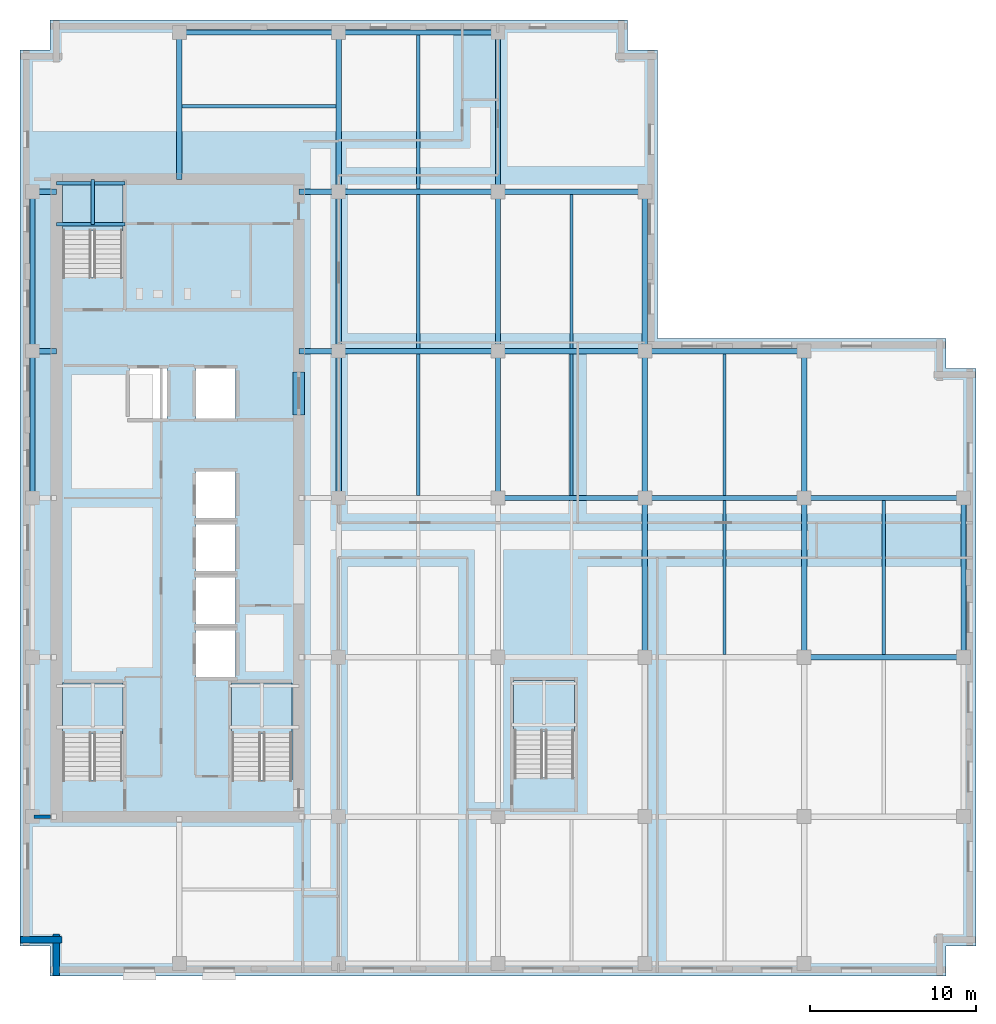
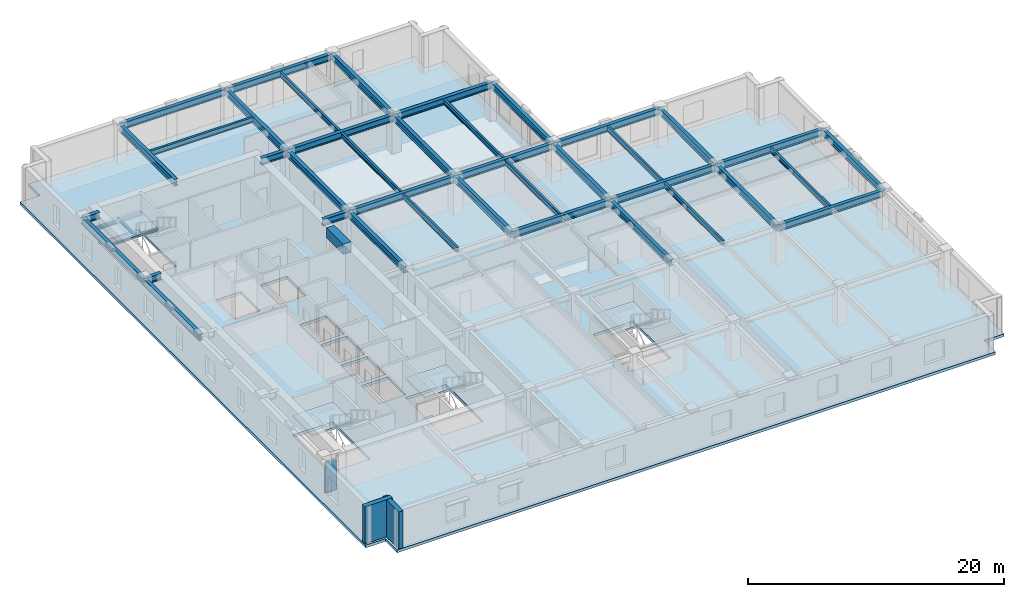
# One storey, part 2 of 14: 43 beams, 5 slabs, 3 walls, 4 elements without a shape of their own.
"""IFC4 building model written with IfcOpenShell, lengths in metres."""

from ifc_helpers import new_model, si_unit, direction, frame, frame_2d, origin, origin_2d, place, context, subcontext, project, spatial, polyline, rectangle, i_section, outline, extrude, material, layer, layer_set, material_profile, profile_set, type_object, element, aggregate, save


model = new_model("IFC4")

# Units and contexts
model_context = context("Model", 3, precision=1e-05, world=origin(), true_north=direction((0.0, 1.0)))
body_context = subcontext(model_context, "Body", "Model", "MODEL_VIEW")
ifc_project = project(units=[si_unit("LENGTHUNIT", "METRE"), si_unit("AREAUNIT", "SQUARE_METRE"), si_unit("VOLUMEUNIT", "CUBIC_METRE"), si_unit("PLANEANGLEUNIT", "RADIAN"), si_unit("MASSUNIT", "GRAM", prefix="KILO")], contexts=[model_context])

# Site, building, storey
site_placement = place(None, origin())
site = spatial("IfcSite", under=ifc_project, at=site_placement, CompositionType="ELEMENT")
building_placement = place(site_placement, origin())
building = spatial("IfcBuilding", under=site, at=building_placement, Name="Norrvale University Quadrangle", CompositionType="ELEMENT")
storey_placement = place(building_placement, frame((0.0, 0.0, 214.199951171875)))
storey = spatial("IfcBuildingStorey", under=building, at=storey_placement, Name="L54", CompositionType="ELEMENT", Elevation=214.199951171875)

# Beams
ifc_material_1 = material(Name="Steel 350W", Category="steel")
ifc_material_profile_1 = material_profile(ifc_material_1, i_section(OverallWidth=0.324951171875, OverallDepth=0.615966796875, WebThickness=0.013916015625, FlangeThickness=0.021484375, FilletRadius=0.01611328125, at=origin_2d()), Name="Steel 350W")
ifc_profile_set_1 = profile_set([ifc_material_profile_1], Name="Steel 350W")
beam_type_1 = type_object("IfcBeamType", Name="Beam Belt W610x174", PredefinedType="BEAM", material=ifc_profile_set_1)
beam_1_placement = place(storey_placement, frame((47.25, 19.199951171875, 3.23193359375), z_axis=(1.0, 0.0, 0.0), x_axis=(0.0, 1.0, 0.0)))
element("IfcBeam", 1, at=beam_1_placement, inside=storey, type_object=beam_type_1, Name="Beam Belt W610x174 BM-L54-GX012", PredefinedType="BEAM", context=body_context, shape_type="SweptSolid", body=[
    extrude(i_section(OverallWidth=0.324951171875, OverallDepth=0.615966796875, WebThickness=0.013916015625, FlangeThickness=0.021484375, FilletRadius=0.01611328125, at=origin_2d()), origin(), (0.0, 0.0, 1.0), 9.60009765625),
])
beam_2_placement = place(storey_placement, frame((28.800048828125, 28.800048828125, 3.23193359375), z_axis=(1.0, 0.0, 0.0), x_axis=(0.0, 1.0, 0.0)))
element("IfcBeam", 2, at=beam_2_placement, inside=storey, type_object=beam_type_1, Name="Beam Belt W610x174 BM-L54-GX014", PredefinedType="BEAM", context=body_context, shape_type="SweptSolid", body=[
    extrude(i_section(OverallWidth=0.324951171875, OverallDepth=0.615966796875, WebThickness=0.013916015625, FlangeThickness=0.021484375, FilletRadius=0.01611328125, at=origin_2d()), origin(), (0.0, 0.0, 1.0), 8.849853515625),
])
for number, where, z_axis, x_axis, name in (
    (3, (37.64990234375, 28.800048828125, 3.23193359375), (1.0, 0.0, 0.0), (0.0, 1.0, 0.0), "Beam Belt W610x174 BM-L54-GX015"),
    (4, (47.25, 28.800048828125, 3.23193359375), (1.0, 0.0, 0.0), (0.0, 1.0, 0.0), "Beam Belt W610x174 BM-L54-GX016"),
    (5, (19.199951171875, 37.64990234375, 3.23193359375), (1.0, 0.0, 0.0), (0.0, 1.0, 0.0), "Beam Belt W610x174 BM-L54-GX017"),
):
    element("IfcBeam", number, at=place(storey_placement, frame(where, z_axis=z_axis, x_axis=x_axis)), inside=storey, type_object=beam_type_1, Name=name, PredefinedType="BEAM", context=body_context, shape_type="SweptSolid", body=[
        extrude(i_section(OverallWidth=0.324951171875, OverallDepth=0.615966796875, WebThickness=0.013916015625, FlangeThickness=0.021484375, FilletRadius=0.01611328125, at=origin_2d()), origin(), (0.0, 0.0, 1.0), 9.60009765625),
    ])
beam_3_placement = place(storey_placement, frame((28.800048828125, 37.64990234375, 3.23193359375), z_axis=(1.0, 0.0, 0.0), x_axis=(0.0, 1.0, 0.0)))
element("IfcBeam", 6, at=beam_3_placement, inside=storey, type_object=beam_type_1, Name="Beam Belt W610x174 BM-L54-GX018", PredefinedType="BEAM", context=body_context, shape_type="SweptSolid", body=[
    extrude(i_section(OverallWidth=0.324951171875, OverallDepth=0.615966796875, WebThickness=0.013916015625, FlangeThickness=0.021484375, FilletRadius=0.01611328125, at=origin_2d()), origin(), (0.0, 0.0, 1.0), 8.849853515625),
])
for number, where, z_axis, x_axis, name in (
    (7, (37.64990234375, 37.64990234375, 3.23193359375), (1.0, 0.0, 0.0), (0.0, 1.0, 0.0), "Beam Belt W610x174 BM-L54-GX019"),
    (8, (19.199951171875, 47.25, 3.23193359375), (1.0, 0.0, 0.0), (0.0, 1.0, 0.0), "Beam Belt W610x174 BM-L54-GX020"),
):
    element("IfcBeam", number, at=place(storey_placement, frame(where, z_axis=z_axis, x_axis=x_axis)), inside=storey, type_object=beam_type_1, Name=name, PredefinedType="BEAM", context=body_context, shape_type="SweptSolid", body=[
        extrude(i_section(OverallWidth=0.324951171875, OverallDepth=0.615966796875, WebThickness=0.013916015625, FlangeThickness=0.021484375, FilletRadius=0.01611328125, at=origin_2d()), origin(), (0.0, 0.0, 1.0), 9.60009765625),
    ])
beam_4_placement = place(storey_placement, frame((28.800048828125, 47.25, 3.23193359375), z_axis=(1.0, 0.0, 0.0), x_axis=(0.0, 1.0, 0.0)))
element("IfcBeam", 9, at=beam_4_placement, inside=storey, type_object=beam_type_1, Name="Beam Belt W610x174 BM-L54-GX021", PredefinedType="BEAM", context=body_context, shape_type="SweptSolid", body=[
    extrude(i_section(OverallWidth=0.324951171875, OverallDepth=0.615966796875, WebThickness=0.013916015625, FlangeThickness=0.021484375, FilletRadius=0.01611328125, at=origin_2d()), origin(), (0.0, 0.0, 1.0), 8.849853515625),
])
beam_5_placement = place(storey_placement, frame((9.60009765625, 56.85009765625, 3.23193359375), z_axis=(1.0, 0.0, 0.0), x_axis=(0.0, 1.0, 0.0)))
element("IfcBeam", 10, at=beam_5_placement, inside=storey, type_object=beam_type_1, Name="Beam Belt W610x174 BM-L54-GX022", PredefinedType="BEAM", context=body_context, shape_type="SweptSolid", body=[
    extrude(i_section(OverallWidth=0.324951171875, OverallDepth=0.615966796875, WebThickness=0.013916015625, FlangeThickness=0.021484375, FilletRadius=0.01611328125, at=origin_2d()), origin(), (0.0, 0.0, 1.0), 9.599853515625),
])
beam_6_placement = place(storey_placement, frame((19.199951171875, 56.85009765625, 3.23193359375), z_axis=(1.0, 0.0, 0.0), x_axis=(0.0, 1.0, 0.0)))
element("IfcBeam", 11, at=beam_6_placement, inside=storey, type_object=beam_type_1, Name="Beam Belt W610x174 BM-L54-GX023", PredefinedType="BEAM", context=body_context, shape_type="SweptSolid", body=[
    extrude(i_section(OverallWidth=0.324951171875, OverallDepth=0.615966796875, WebThickness=0.013916015625, FlangeThickness=0.021484375, FilletRadius=0.01611328125, at=origin_2d()), origin(), (0.0, 0.0, 1.0), 9.60009765625),
])
beam_7_placement = place(storey_placement, frame((0.75, 28.800048828125, 3.23193359375), z_axis=(0.0, 1.0, 0.0), x_axis=(-1.0, 0.0, 0.0)))
element("IfcBeam", 12, at=beam_7_placement, inside=storey, type_object=beam_type_1, Name="Beam Belt W610x174 BM-L54-GY026", PredefinedType="BEAM", context=body_context, shape_type="SweptSolid", body=[
    extrude(i_section(OverallWidth=0.324951171875, OverallDepth=0.615966796875, WebThickness=0.013916015625, FlangeThickness=0.021484375, FilletRadius=0.01611328125, at=origin_2d()), origin(), (0.0, 0.0, 1.0), 8.849853515625),
])
beam_8_placement = place(storey_placement, frame((0.75, 37.64990234375, 3.23193359375), z_axis=(0.0, 1.0, 0.0), x_axis=(-1.0, 0.0, 0.0)))
element("IfcBeam", 13, at=beam_8_placement, inside=storey, type_object=beam_type_1, Name="Beam Belt W610x174 BM-L54-GY027", PredefinedType="BEAM", context=body_context, shape_type="SweptSolid", body=[
    extrude(i_section(OverallWidth=0.324951171875, OverallDepth=0.615966796875, WebThickness=0.013916015625, FlangeThickness=0.021484375, FilletRadius=0.01611328125, at=origin_2d()), origin(), (0.0, 0.0, 1.0), 9.60009765625),
])
beam_9_placement = place(storey_placement, frame((19.199951171875, 28.800048828125, 3.23193359375), z_axis=(0.0, 1.0, 0.0), x_axis=(-1.0, 0.0, 0.0)))
element("IfcBeam", 14, at=beam_9_placement, inside=storey, type_object=beam_type_1, Name="Beam Belt W610x174 BM-L54-GY031", PredefinedType="BEAM", context=body_context, shape_type="SweptSolid", body=[
    extrude(i_section(OverallWidth=0.324951171875, OverallDepth=0.615966796875, WebThickness=0.013916015625, FlangeThickness=0.021484375, FilletRadius=0.01611328125, at=origin_2d()), origin(), (0.0, 0.0, 1.0), 8.849853515625),
])
for number, where, z_axis, x_axis, name in (
    (15, (19.199951171875, 37.64990234375, 3.23193359375), (0.0, 1.0, 0.0), (-1.0, 0.0, 0.0), "Beam Belt W610x174 BM-L54-GY032"),
    (16, (19.199951171875, 47.25, 3.23193359375), (0.0, 1.0, 0.0), (-1.0, 0.0, 0.0), "Beam Belt W610x174 BM-L54-GY033"),
):
    element("IfcBeam", number, at=place(storey_placement, frame(where, z_axis=z_axis, x_axis=x_axis)), inside=storey, type_object=beam_type_1, Name=name, PredefinedType="BEAM", context=body_context, shape_type="SweptSolid", body=[
        extrude(i_section(OverallWidth=0.324951171875, OverallDepth=0.615966796875, WebThickness=0.013916015625, FlangeThickness=0.021484375, FilletRadius=0.01611328125, at=origin_2d()), origin(), (0.0, 0.0, 1.0), 9.60009765625),
    ])
beam_10_placement = place(storey_placement, frame((28.800048828125, 28.800048828125, 3.23193359375), z_axis=(0.0, 1.0, 0.0), x_axis=(-1.0, 0.0, 0.0)))
element("IfcBeam", 17, at=beam_10_placement, inside=storey, type_object=beam_type_1, Name="Beam Belt W610x174 BM-L54-GY037", PredefinedType="BEAM", context=body_context, shape_type="SweptSolid", body=[
    extrude(i_section(OverallWidth=0.324951171875, OverallDepth=0.615966796875, WebThickness=0.013916015625, FlangeThickness=0.021484375, FilletRadius=0.01611328125, at=origin_2d()), origin(), (0.0, 0.0, 1.0), 8.849853515625),
])
for number, where, z_axis, x_axis, name in (
    (18, (28.800048828125, 37.64990234375, 3.23193359375), (0.0, 1.0, 0.0), (-1.0, 0.0, 0.0), "Beam Belt W610x174 BM-L54-GY038"),
    (19, (28.800048828125, 47.25, 3.23193359375), (0.0, 1.0, 0.0), (-1.0, 0.0, 0.0), "Beam Belt W610x174 BM-L54-GY039"),
    (20, (37.64990234375, 19.199951171875, 3.23193359375), (0.0, 1.0, 0.0), (-1.0, 0.0, 0.0), "Beam Belt W610x174 BM-L54-GY042"),
):
    element("IfcBeam", number, at=place(storey_placement, frame(where, z_axis=z_axis, x_axis=x_axis)), inside=storey, type_object=beam_type_1, Name=name, PredefinedType="BEAM", context=body_context, shape_type="SweptSolid", body=[
        extrude(i_section(OverallWidth=0.324951171875, OverallDepth=0.615966796875, WebThickness=0.013916015625, FlangeThickness=0.021484375, FilletRadius=0.01611328125, at=origin_2d()), origin(), (0.0, 0.0, 1.0), 9.60009765625),
    ])
beam_11_placement = place(storey_placement, frame((37.64990234375, 28.800048828125, 3.23193359375), z_axis=(0.0, 1.0, 0.0), x_axis=(-1.0, 0.0, 0.0)))
element("IfcBeam", 21, at=beam_11_placement, inside=storey, type_object=beam_type_1, Name="Beam Belt W610x174 BM-L54-GY043", PredefinedType="BEAM", context=body_context, shape_type="SweptSolid", body=[
    extrude(i_section(OverallWidth=0.324951171875, OverallDepth=0.615966796875, WebThickness=0.013916015625, FlangeThickness=0.021484375, FilletRadius=0.01611328125, at=origin_2d()), origin(), (0.0, 0.0, 1.0), 8.849853515625),
])
for number, where, z_axis, x_axis, name in (
    (22, (37.64990234375, 37.64990234375, 3.23193359375), (0.0, 1.0, 0.0), (-1.0, 0.0, 0.0), "Beam Belt W610x174 BM-L54-GY044"),
    (23, (47.25, 19.199951171875, 3.23193359375), (0.0, 1.0, 0.0), (-1.0, 0.0, 0.0), "Beam Belt W610x174 BM-L54-GY047"),
):
    element("IfcBeam", number, at=place(storey_placement, frame(where, z_axis=z_axis, x_axis=x_axis)), inside=storey, type_object=beam_type_1, Name=name, PredefinedType="BEAM", context=body_context, shape_type="SweptSolid", body=[
        extrude(i_section(OverallWidth=0.324951171875, OverallDepth=0.615966796875, WebThickness=0.013916015625, FlangeThickness=0.021484375, FilletRadius=0.01611328125, at=origin_2d()), origin(), (0.0, 0.0, 1.0), 9.60009765625),
    ])
beam_12_placement = place(storey_placement, frame((47.25, 28.800048828125, 3.23193359375), z_axis=(0.0, 1.0, 0.0), x_axis=(-1.0, 0.0, 0.0)))
element("IfcBeam", 24, at=beam_12_placement, inside=storey, type_object=beam_type_1, Name="Beam Belt W610x174 BM-L54-GY048", PredefinedType="BEAM", context=body_context, shape_type="SweptSolid", body=[
    extrude(i_section(OverallWidth=0.324951171875, OverallDepth=0.615966796875, WebThickness=0.013916015625, FlangeThickness=0.021484375, FilletRadius=0.01611328125, at=origin_2d()), origin(), (0.0, 0.0, 1.0), 8.849853515625),
])
beam_13_placement = place(storey_placement, frame((56.85009765625, 19.199951171875, 3.23193359375), z_axis=(0.0, 1.0, 0.0), x_axis=(-1.0, 0.0, 0.0)))
element("IfcBeam", 25, at=beam_13_placement, inside=storey, type_object=beam_type_1, Name="Beam Belt W610x174 BM-L54-GY050", PredefinedType="BEAM", context=body_context, shape_type="SweptSolid", body=[
    extrude(i_section(OverallWidth=0.324951171875, OverallDepth=0.615966796875, WebThickness=0.013916015625, FlangeThickness=0.021484375, FilletRadius=0.01611328125, at=origin_2d()), origin(), (0.0, 0.0, 1.0), 9.60009765625),
])
beam_14_placement = place(storey_placement, frame((0.75, 37.64990234375, 3.23193359375), z_axis=(1.0, 0.0, 0.0), x_axis=(0.0, 1.0, 0.0)))
element("IfcBeam", 26, at=beam_14_placement, inside=storey, type_object=beam_type_1, Name="Beam Belt W610x174 BM-L54-GCW057", PredefinedType="BEAM", context=body_context, shape_type="SweptSolid", body=[
    extrude(i_section(OverallWidth=0.324951171875, OverallDepth=0.615966796875, WebThickness=0.013916015625, FlangeThickness=0.021484375, FilletRadius=0.01611328125, at=origin_2d()), origin(), (0.0, 0.0, 1.0), 1.449951171875),
])
beam_15_placement = place(storey_placement, frame((16.800048828125, 37.64990234375, 3.23193359375), z_axis=(1.0, 0.0, 0.0), x_axis=(0.0, 1.0, 0.0)))
element("IfcBeam", 27, at=beam_15_placement, inside=storey, type_object=beam_type_1, Name="Beam Belt W610x174 BM-L54-GCE058", PredefinedType="BEAM", context=body_context, shape_type="SweptSolid", body=[
    extrude(i_section(OverallWidth=0.324951171875, OverallDepth=0.615966796875, WebThickness=0.013916015625, FlangeThickness=0.021484375, FilletRadius=0.01611328125, at=origin_2d()), origin(), (0.0, 0.0, 1.0), 2.39990234375),
])
beam_16_placement = place(storey_placement, frame((0.75, 47.25, 3.23193359375), z_axis=(1.0, 0.0, 0.0), x_axis=(0.0, 1.0, 0.0)))
element("IfcBeam", 28, at=beam_16_placement, inside=storey, type_object=beam_type_1, Name="Beam Belt W610x174 BM-L54-GCW059", PredefinedType="BEAM", context=body_context, shape_type="SweptSolid", body=[
    extrude(i_section(OverallWidth=0.324951171875, OverallDepth=0.615966796875, WebThickness=0.013916015625, FlangeThickness=0.021484375, FilletRadius=0.01611328125, at=origin_2d()), origin(), (0.0, 0.0, 1.0), 1.449951171875),
])
beam_17_placement = place(storey_placement, frame((16.800048828125, 47.25, 3.23193359375), z_axis=(1.0, 0.0, 0.0), x_axis=(0.0, 1.0, 0.0)))
element("IfcBeam", 29, at=beam_17_placement, inside=storey, type_object=beam_type_1, Name="Beam Belt W610x174 BM-L54-GCE060", PredefinedType="BEAM", context=body_context, shape_type="SweptSolid", body=[
    extrude(i_section(OverallWidth=0.324951171875, OverallDepth=0.615966796875, WebThickness=0.013916015625, FlangeThickness=0.021484375, FilletRadius=0.01611328125, at=origin_2d()), origin(), (0.0, 0.0, 1.0), 2.39990234375),
])
beam_18_placement = place(storey_placement, frame((9.60009765625, 48.0, 3.23193359375), z_axis=(0.0, 1.0, 0.0), x_axis=(-1.0, 0.0, 0.0)))
element("IfcBeam", 30, at=beam_18_placement, inside=storey, type_object=beam_type_1, Name="Beam Belt W610x174 BM-L54-GCN079", PredefinedType="BEAM", context=body_context, shape_type="SweptSolid", body=[
    extrude(i_section(OverallWidth=0.324951171875, OverallDepth=0.615966796875, WebThickness=0.013916015625, FlangeThickness=0.021484375, FilletRadius=0.01611328125, at=origin_2d()), origin(), (0.0, 0.0, 1.0), 8.85009765625),
])
ifc_material_2 = material(Name="Concrete C80/95", Category="concrete")
ifc_material_profile_2 = material_profile(ifc_material_2, rectangle(XDim=0.699951171875, YDim=0.949951171875, at=origin_2d()), Name="Concrete C80/95")
ifc_profile_set_2 = profile_set([ifc_material_profile_2], Name="Concrete C80/95")
beam_type_2 = type_object("IfcBeamType", Name="Beam Core Link 700x950", PredefinedType="LINTEL", material=ifc_profile_set_2)
beam_19_placement = place(storey_placement, frame((16.800048828125, 33.800048828125, 3.06494140625), z_axis=(0.0, 1.0, 0.0), x_axis=(-1.0, 0.0, 0.0)))
element("IfcBeam", 31, at=beam_19_placement, inside=storey, type_object=beam_type_2, Name="Core Coupling Lintel Beam L54-2", PredefinedType="LINTEL", context=body_context, shape_type="SweptSolid", body=[
    extrude(rectangle(XDim=0.699951171875, YDim=0.949951171875, at=origin_2d()), origin(), (0.0, 0.0, 1.0), 2.599853515625),
])
ifc_material_profile_3 = material_profile(ifc_material_1, i_section(OverallWidth=0.194091796875, OverallDepth=0.468994140625, WebThickness=0.0126953125, FlangeThickness=0.0205078125, FilletRadius=0.012939453125, at=origin_2d()), Name="Steel 350W")
ifc_profile_set_3 = profile_set([ifc_material_profile_3], Name="Steel 350W")
beam_type_3 = type_object("IfcBeamType", Name="Beam Floor W460x106", PredefinedType="BEAM", material=ifc_profile_set_3)
beam_20_placement = place(storey_placement, frame((24.0, 28.96240234375, 3.3056640625), z_axis=(0.0, 1.0, 0.0), x_axis=(-1.0, 0.0, 0.0)))
element("IfcBeam", 32, at=beam_20_placement, inside=storey, type_object=beam_type_3, Name="Beam Floor W460x106 BM-L54-J064", PredefinedType="BEAM", context=body_context, shape_type="SweptSolid", body=[
    extrude(i_section(OverallWidth=0.194091796875, OverallDepth=0.468994140625, WebThickness=0.0126953125, FlangeThickness=0.0205078125, FilletRadius=0.012939453125, at=origin_2d()), origin(), (0.0, 0.0, 1.0), 8.525146484375),
])
for number, where, z_axis, x_axis, name in (
    (33, (24.0, 37.8125, 3.3056640625), (0.0, 1.0, 0.0), (-1.0, 0.0, 0.0), "Beam Floor W460x106 BM-L54-J065"),
    (34, (24.0, 47.41259765625, 3.3056640625), (0.0, 1.0, 0.0), (-1.0, 0.0, 0.0), "Beam Floor W460x106 BM-L54-J066"),
):
    element("IfcBeam", number, at=place(storey_placement, frame(where, z_axis=z_axis, x_axis=x_axis)), inside=storey, type_object=beam_type_3, Name=name, PredefinedType="BEAM", context=body_context, shape_type="SweptSolid", body=[
        extrude(i_section(OverallWidth=0.194091796875, OverallDepth=0.468994140625, WebThickness=0.0126953125, FlangeThickness=0.0205078125, FilletRadius=0.012939453125, at=origin_2d()), origin(), (0.0, 0.0, 1.0), 9.27490234375),
    ])
beam_21_placement = place(storey_placement, frame((33.22509765625, 28.96240234375, 3.3056640625), z_axis=(0.0, 1.0, 0.0), x_axis=(-1.0, 0.0, 0.0)))
element("IfcBeam", 35, at=beam_21_placement, inside=storey, type_object=beam_type_3, Name="Beam Floor W460x106 BM-L54-J069", PredefinedType="BEAM", context=body_context, shape_type="SweptSolid", body=[
    extrude(i_section(OverallWidth=0.194091796875, OverallDepth=0.468994140625, WebThickness=0.0126953125, FlangeThickness=0.0205078125, FilletRadius=0.012939453125, at=origin_2d()), origin(), (0.0, 0.0, 1.0), 8.525146484375),
])
for number, where, z_axis, x_axis, name in (
    (36, (33.22509765625, 37.8125, 3.3056640625), (0.0, 1.0, 0.0), (-1.0, 0.0, 0.0), "Beam Floor W460x106 BM-L54-J070"),
    (37, (42.449951171875, 19.362548828125, 3.3056640625), (0.0, 1.0, 0.0), (-1.0, 0.0, 0.0), "Beam Floor W460x106 BM-L54-J073"),
):
    element("IfcBeam", number, at=place(storey_placement, frame(where, z_axis=z_axis, x_axis=x_axis)), inside=storey, type_object=beam_type_3, Name=name, PredefinedType="BEAM", context=body_context, shape_type="SweptSolid", body=[
        extrude(i_section(OverallWidth=0.194091796875, OverallDepth=0.468994140625, WebThickness=0.0126953125, FlangeThickness=0.0205078125, FilletRadius=0.012939453125, at=origin_2d()), origin(), (0.0, 0.0, 1.0), 9.27490234375),
    ])
beam_22_placement = place(storey_placement, frame((42.449951171875, 28.96240234375, 3.3056640625), z_axis=(0.0, 1.0, 0.0), x_axis=(-1.0, 0.0, 0.0)))
element("IfcBeam", 38, at=beam_22_placement, inside=storey, type_object=beam_type_3, Name="Beam Floor W460x106 BM-L54-J074", PredefinedType="BEAM", context=body_context, shape_type="SweptSolid", body=[
    extrude(i_section(OverallWidth=0.194091796875, OverallDepth=0.468994140625, WebThickness=0.0126953125, FlangeThickness=0.0205078125, FilletRadius=0.012939453125, at=origin_2d()), origin(), (0.0, 0.0, 1.0), 8.525146484375),
])
beam_23_placement = place(storey_placement, frame((52.050048828125, 19.362548828125, 3.3056640625), z_axis=(0.0, 1.0, 0.0), x_axis=(-1.0, 0.0, 0.0)))
element("IfcBeam", 39, at=beam_23_placement, inside=storey, type_object=beam_type_3, Name="Beam Floor W460x106 BM-L54-J076", PredefinedType="BEAM", context=body_context, shape_type="SweptSolid", body=[
    extrude(i_section(OverallWidth=0.194091796875, OverallDepth=0.468994140625, WebThickness=0.0126953125, FlangeThickness=0.0205078125, FilletRadius=0.012939453125, at=origin_2d()), origin(), (0.0, 0.0, 1.0), 9.27490234375),
])
beam_24_placement = place(storey_placement, frame((9.762451171875, 52.39990234375, 3.3056640625), z_axis=(1.0, 0.0, 0.0), x_axis=(0.0, 1.0, 0.0)))
element("IfcBeam", 40, at=beam_24_placement, inside=storey, type_object=beam_type_3, Name="Beam Floor W460x106 BM-L54-JCN080", PredefinedType="BEAM", context=body_context, shape_type="SweptSolid", body=[
    extrude(i_section(OverallWidth=0.194091796875, OverallDepth=0.468994140625, WebThickness=0.0126953125, FlangeThickness=0.0205078125, FilletRadius=0.012939453125, at=origin_2d()), origin(), (0.0, 0.0, 1.0), 9.275146484375),
])
ifc_material_profile_4 = material_profile(ifc_material_1, i_section(OverallWidth=0.201904296875, OverallDepth=0.2470703125, WebThickness=0.00732421875, FlangeThickness=0.010986328125, FilletRadius=0.011962890625, at=origin_2d()), Name="Steel 350W")
ifc_profile_set_4 = profile_set([ifc_material_profile_4], Name="Steel 350W")
beam_type_4 = type_object("IfcBeamType", Name="Beam Stair W250x49", PredefinedType="BEAM", material=ifc_profile_set_4)
for number, where, z_axis, x_axis, name in (
    (41, (2.199951171875, 45.2900390625, 1.57666015625), (1.0, 0.0, 0.0), (0.0, 1.0, 0.0), "Stair Mid-Landing Front Beam ST-02 L54"),
    (42, (2.199951171875, 47.77001953125, 1.57666015625), (1.0, 0.0, 0.0), (0.0, 1.0, 0.0), "Stair Mid-Landing Rear Beam ST-02 L54"),
):
    element("IfcBeam", number, at=place(storey_placement, frame(where, z_axis=z_axis, x_axis=x_axis)), inside=storey, type_object=beam_type_4, Name=name, PredefinedType="BEAM", context=body_context, shape_type="SweptSolid", body=[
        extrude(i_section(OverallWidth=0.201904296875, OverallDepth=0.2470703125, WebThickness=0.00732421875, FlangeThickness=0.010986328125, FilletRadius=0.011962890625, at=origin_2d()), origin(), (0.0, 0.0, 1.0), 4.14013671875),
    ])
ifc_material_profile_5 = material_profile(ifc_material_1, i_section(OverallWidth=0.202880859375, OverallDepth=0.202880859375, WebThickness=0.007080078125, FlangeThickness=0.010986328125, FilletRadius=0.010009765625, at=origin_2d()), Name="Steel 350W")
ifc_profile_set_5 = profile_set([ifc_material_profile_5], Name="Steel 350W")
beam_type_5 = type_object("IfcBeamType", Name="Beam Trim W200x46", PredefinedType="BEAM", material=ifc_profile_set_5)
beam_25_placement = place(storey_placement, frame((4.375, 45.2900390625, 1.5986328125), z_axis=(0.0, 1.0, 0.0), x_axis=(-1.0, 0.0, 0.0)))
element("IfcBeam", 43, at=beam_25_placement, inside=storey, type_object=beam_type_5, Name="Stair Mid-Landing Cross Beam ST-02 L54", PredefinedType="BEAM", context=body_context, shape_type="SweptSolid", body=[
    extrude(i_section(OverallWidth=0.202880859375, OverallDepth=0.202880859375, WebThickness=0.007080078125, FlangeThickness=0.010986328125, FilletRadius=0.010009765625, at=origin_2d()), origin(), (0.0, 0.0, 1.0), 2.7099609375),
])

# Stair, slab
ifc_material_3 = material(Name="Concrete C40/50", Category="concrete")
stair_type = type_object("IfcStairType", Name="Stair Tower Typ 3800", PredefinedType="TWO_STRAIGHT_RUN_STAIR", material=ifc_material_3)
stair_1_placement = place(storey_placement, origin())
stair_1 = element("IfcStair", 44, at=stair_1_placement, inside=storey, type_object=stair_type, Name="Exit Stair ST-01 L54", PredefinedType="TWO_STRAIGHT_RUN_STAIR")
ifc_layer_1 = layer(ifc_material_3, 0.199951171875, Name="Concrete C40/50")
ifc_layer_set_1 = layer_set([ifc_layer_1], Name="Concrete C40/50")
slab_type_1 = type_object("IfcSlabType", Name="Slab Landing 200", PredefinedType="LANDING", material=ifc_layer_set_1)
slab_1_placement = place(storey_placement, frame((0.0, 0.0, 1.699951171875)))
slab_1 = element("IfcSlab", 45, at=slab_1_placement, type_object=slab_type_1, Name="Exit Stair ST-01 L54 Mid Landing", PredefinedType="LANDING", context=body_context, shape_type="SweptSolid", body=[
    extrude(outline(polyline([(2.550048828125, 14.590087890625), (6.199951171875, 14.590087890625), (6.199951171875, 17.64990234375), (2.550048828125, 17.64990234375), (2.550048828125, 14.590087890625)])), origin(), (0.0, 0.0, 1.0), 0.2001953125),
])
aggregate(stair_1, [slab_1])

stair_2_placement = place(storey_placement, origin())
stair_2 = element("IfcStair", 46, at=stair_2_placement, inside=storey, type_object=stair_type, Name="Exit Stair ST-02 L54", PredefinedType="TWO_STRAIGHT_RUN_STAIR")
slab_2_placement = place(storey_placement, frame((0.0, 0.0, 1.699951171875)))
slab_2 = element("IfcSlab", 47, at=slab_2_placement, type_object=slab_type_1, Name="Exit Stair ST-02 L54 Mid Landing", PredefinedType="LANDING", context=body_context, shape_type="SweptSolid", body=[
    extrude(outline(polyline([(2.550048828125, 44.889892578125), (6.199951171875, 44.889892578125), (6.199951171875, 47.949951171875), (2.550048828125, 47.949951171875), (2.550048828125, 44.889892578125)])), origin(), (0.0, 0.0, 1.0), 0.2001953125),
])
aggregate(stair_2, [slab_2])

stair_3_placement = place(storey_placement, origin())
stair_3 = element("IfcStair", 48, at=stair_3_placement, inside=storey, type_object=stair_type, Name="Exit Stair ST-03 L54", PredefinedType="TWO_STRAIGHT_RUN_STAIR")
slab_3_placement = place(storey_placement, frame((0.0, 0.0, 1.699951171875)))
slab_3 = element("IfcSlab", 49, at=slab_3_placement, type_object=slab_type_1, Name="Exit Stair ST-03 L54 Mid Landing", PredefinedType="LANDING", context=body_context, shape_type="SweptSolid", body=[
    extrude(outline(polyline([(12.75, 14.590087890625), (16.39990234375, 14.590087890625), (16.39990234375, 17.64990234375), (12.75, 17.64990234375), (12.75, 14.590087890625)])), origin(), (0.0, 0.0, 1.0), 0.2001953125),
])
aggregate(stair_3, [slab_3])

stair_4_placement = place(storey_placement, origin())
stair_4 = element("IfcStair", 50, at=stair_4_placement, inside=storey, type_object=stair_type, Name="Exit Stair ST-04 L54", PredefinedType="TWO_STRAIGHT_RUN_STAIR")
slab_4_placement = place(storey_placement, frame((0.0, 0.0, 1.699951171875)))
slab_4 = element("IfcSlab", 51, at=slab_4_placement, type_object=slab_type_1, Name="Exit Stair ST-04 L54 Mid Landing", PredefinedType="LANDING", context=body_context, shape_type="SweptSolid", body=[
    extrude(outline(polyline([(29.75, 14.739990234375), (33.39990234375, 14.739990234375), (33.39990234375, 17.800048828125), (29.75, 17.800048828125), (29.75, 14.739990234375)])), origin(), (0.0, 0.0, 1.0), 0.2001953125),
])
aggregate(stair_4, [slab_4])

# Slab
ifc_layer_2 = layer(ifc_material_3, 0.260009765625, Name="Concrete C40/50")
ifc_layer_set_2 = layer_set([ifc_layer_2], Name="Concrete C40/50")
slab_type_2 = type_object("IfcSlabType", Name="Slab Tower Typ 260", PredefinedType="FLOOR", material=ifc_layer_set_2)
slab_5_placement = place(storey_placement, frame((0.0, 0.0, -0.260009765625)))
element("IfcSlab", 52, at=slab_5_placement, inside=storey, type_object=slab_type_2, Name="Tower L54 Floor Slab", PredefinedType="FLOOR", context=body_context, shape_type="SweptSolid", body=[
    extrude(outline(polyline([(1.800048828125, 0.0), (55.800048828125, 0.0), (55.800048828125, 1.800048828125), (57.60009765625, 1.800048828125), (57.60009765625, 36.60009765625), (55.800048828125, 36.60009765625), (55.800048828125, 38.39990234375), (38.39990234375, 38.39990234375), (38.39990234375, 55.800048828125), (36.60009765625, 55.800048828125), (36.60009765625, 57.60009765625), (1.800048828125, 57.60009765625), (1.800048828125, 55.800048828125), (0.0, 55.800048828125), (0.0, 1.800048828125), (1.800048828125, 1.800048828125), (1.800048828125, 0.0)]), holes=[polyline([(2.550048828125, 11.81005859375), (6.199951171875, 11.81005859375), (6.199951171875, 17.64990234375), (2.550048828125, 17.64990234375), (2.550048828125, 11.81005859375)]), polyline([(2.550048828125, 42.110107421875), (6.199951171875, 42.110107421875), (6.199951171875, 47.949951171875), (2.550048828125, 47.949951171875), (2.550048828125, 42.110107421875)]), polyline([(12.75, 11.81005859375), (16.39990234375, 11.81005859375), (16.39990234375, 17.64990234375), (12.75, 17.64990234375), (12.75, 11.81005859375)]), polyline([(29.75, 11.9599609375), (33.39990234375, 11.9599609375), (33.39990234375, 17.800048828125), (29.75, 17.800048828125), (29.75, 11.9599609375)]), polyline([(10.60009765625, 18.0), (13.0, 18.0), (13.0, 20.800048828125), (10.60009765625, 20.800048828125), (10.60009765625, 18.0)]), polyline([(10.60009765625, 21.199951171875), (13.0, 21.199951171875), (13.0, 24.0), (10.60009765625, 24.0), (10.60009765625, 21.199951171875)]), polyline([(10.60009765625, 24.39990234375), (13.0, 24.39990234375), (13.0, 27.199951171875), (10.60009765625, 27.199951171875), (10.60009765625, 24.39990234375)]), polyline([(10.60009765625, 27.60009765625), (13.0, 27.60009765625), (13.0, 30.39990234375), (10.60009765625, 30.39990234375), (10.60009765625, 27.60009765625)]), polyline([(6.60009765625, 33.60009765625), (8.85009765625, 33.60009765625), (8.85009765625, 36.60009765625), (6.60009765625, 36.60009765625), (6.60009765625, 33.60009765625)]), polyline([(10.60009765625, 33.60009765625), (13.0, 33.60009765625), (13.0, 36.60009765625), (10.60009765625, 36.60009765625), (10.60009765625, 33.60009765625)])]), origin(), (0.0, 0.0, 1.0), 0.260009765625),
])

# Walls
ifc_material_4 = material(Name="Concrete Blockwork 20 MPa Rated Wall", Category="masonry")
ifc_layer_3 = layer(ifc_material_4, 0.199951171875, Name="Concrete Blockwork 20 MPa Rated Wall")
ifc_layer_set_3 = layer_set([ifc_layer_3], Name="Concrete Blockwork 20 MPa Rated Wall")
wall_type_1 = type_object("IfcWallType", Name="Wall Lobby 200", PredefinedType="SOLIDWALL", material=ifc_layer_set_3)
wall_placement = place(storey_placement, frame((0.85009765625, 9.60009765625, 0.0), z_axis=(0.0, 0.0, 1.0), x_axis=(1.0, 0.0, 0.0)))
element("IfcWall", 53, at=wall_placement, inside=storey, type_object=wall_type_1, Name="Interior Partition WL-L54-CWRET-S", PredefinedType="SOLIDWALL", context=body_context, shape_type="SweptSolid", body=[
    extrude(rectangle(XDim=0.994873046875, YDim=0.199951171875, at=frame_2d((0.49755859375, 0.0))), origin(), (0.0, 0.0, 1.0), 2.924072265625),
])
ifc_material_5 = material(Name="Red Manganese Brick Masonry", Category="masonry")
ifc_layer_4 = layer(ifc_material_5, 0.39990234375, Name="Red Manganese Brick Masonry")
ifc_layer_set_4 = layer_set([ifc_layer_4], Name="Red Manganese Brick Masonry")
wall_type_2 = type_object("IfcWallType", Name="Wall Red Brick 400", PredefinedType="SOLIDWALL", material=ifc_layer_set_4)
for number, where, z_axis, x_axis, name in (
    (54, (0.0400390625, 2.179931640625, 0.0), (0.0, 0.0, 1.0), (1.0, 0.0, 0.0), "Exterior Brick Facade Wall L54-15.1"),
    (55, (2.179931640625, 2.52001953125, 0.0), (0.0, 0.0, 1.0), (0.0, -1.0, 0.0), "Exterior Brick Facade Wall L54-16.1"),
):
    element("IfcWall", number, at=place(storey_placement, frame(where, z_axis=z_axis, x_axis=x_axis)), inside=storey, type_object=wall_type_2, Name=name, PredefinedType="SOLIDWALL", context=body_context, shape_type="SweptSolid", body=[
        extrude(rectangle(XDim=2.47998046875, YDim=0.39990234375, at=frame_2d((1.239990234375, 0.0))), origin(), (0.0, 0.0, 1.0), 3.5400390625),
    ])

save(model, "model.ifc")
